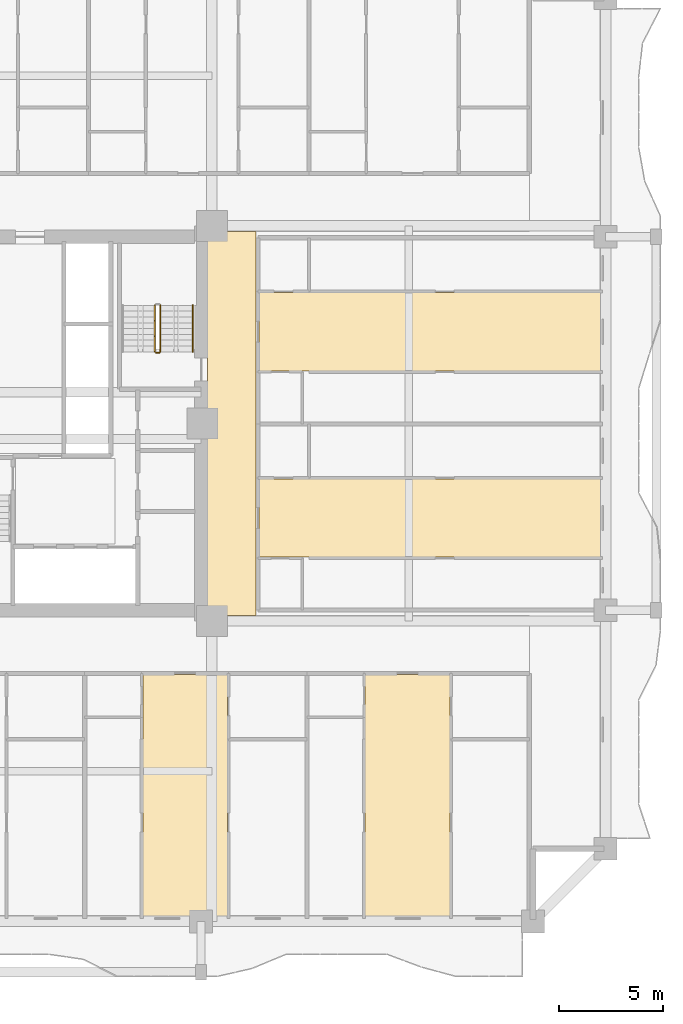
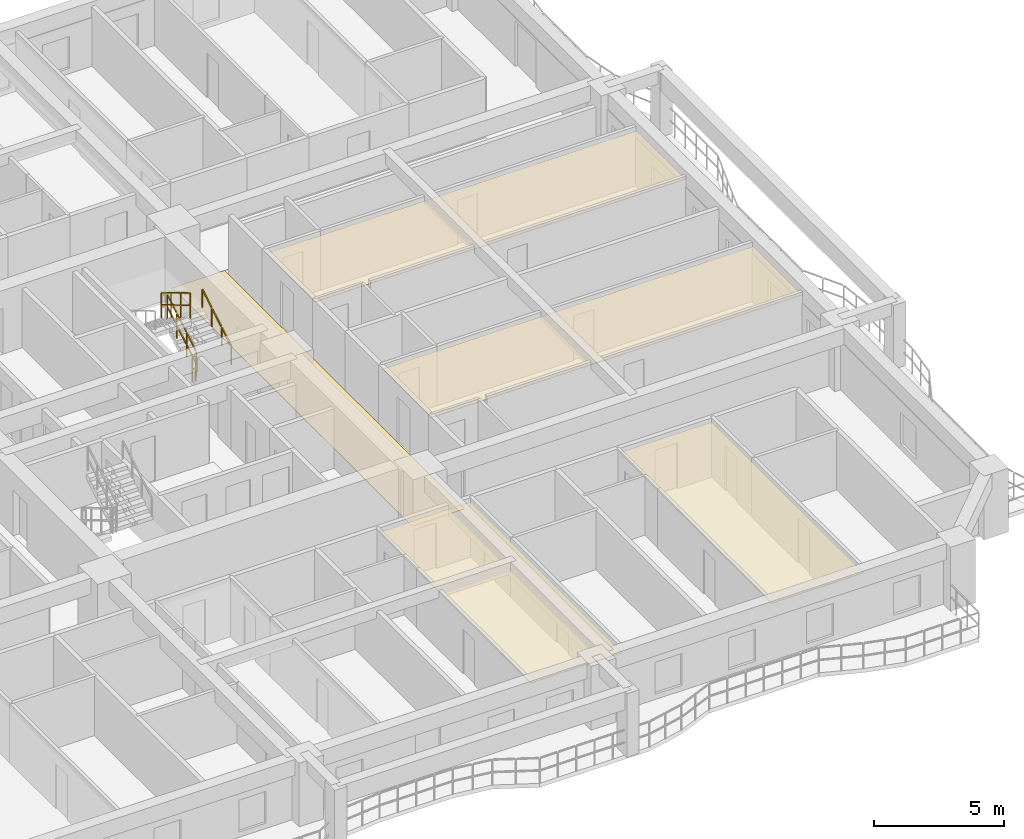
# One storey, part 14 of 16: 5 coverings, 4 railings.
"""IFC4 building model written with IfcOpenShell, lengths in metres."""

from ifc_helpers import new_model, si_unit, direction, frame, origin, origin_2d, place, context, subcontext, project, spatial, polyline, rectangle, outline, extrude, material, layer, layer_set, type_object, element, save


model = new_model("IFC4")

# Units and contexts
model_context = context("Model", 3, precision=1e-05, world=origin(), true_north=direction((0.0, 1.0)))
body_context = subcontext(model_context, "Body", "Model", "MODEL_VIEW")
ifc_project = project(units=[si_unit("LENGTHUNIT", "METRE"), si_unit("AREAUNIT", "SQUARE_METRE"), si_unit("VOLUMEUNIT", "CUBIC_METRE"), si_unit("PLANEANGLEUNIT", "RADIAN"), si_unit("MASSUNIT", "GRAM", prefix="KILO")], contexts=[model_context])

# Site, building, storey
site_placement = place(None, origin())
site = spatial("IfcSite", under=ifc_project, at=site_placement, CompositionType="ELEMENT")
building_placement = place(site_placement, origin())
building = spatial("IfcBuilding", under=site, at=building_placement, Name="Saelheon Loggia Tower", CompositionType="ELEMENT")
storey_placement = place(building_placement, frame((0.0, 0.0, 28.39990234375)))
storey = spatial("IfcBuildingStorey", under=building, at=storey_placement, Name="L08", CompositionType="ELEMENT", Elevation=28.39990234375)

# Coverings
ifc_material_1 = material(Name="Mineral-Fibre Acoustic Ceiling Board", Category="gypsum")
ifc_layer_1 = layer(ifc_material_1, 0.02490234375)
ifc_layer_set_1 = layer_set([ifc_layer_1], Name="Mineral-Fibre Acoustic Ceiling Board")
covering_type_1 = type_object("IfcCoveringType", Name="Cov_Ceiling_Acoustic", PredefinedType="CEILING", material=ifc_layer_set_1)
covering_1_placement = place(storey_placement, frame((0.0, 0.0, 2.53515625)))
element("IfcCovering", 1, at=covering_1_placement, inside=storey, type_object=covering_type_1, Name="L08 Acoustic Suspended Ceiling", PredefinedType="CEILING", context=body_context, shape_type="SweptSolid", body=[
    extrude(outline(polyline([(41.69287109375, 3.199951171875), (45.77001953125, 3.199951171875), (45.77001953125, 14.89990234375), (41.69287109375, 14.89990234375), (41.69287109375, 3.199951171875)])), origin(), (0.0, 0.0, 1.0), 0.02490234375),
])
covering_2_placement = place(storey_placement, frame((0.0, 0.0, 2.53515625)))
element("IfcCovering", 2, at=covering_2_placement, inside=storey, type_object=covering_type_1, Name="L08 Acoustic Suspended Ceiling", PredefinedType="CEILING", context=body_context, shape_type="SweptSolid", body=[
    extrude(outline(polyline([(52.406494140625, 3.199951171875), (56.504150390625, 3.199951171875), (56.504150390625, 14.89990234375), (52.406494140625, 14.89990234375), (52.406494140625, 3.199951171875)])), origin(), (0.0, 0.0, 1.0), 0.02490234375),
])
covering_3_placement = place(storey_placement, frame((0.0, 0.0, 2.53515625)))
element("IfcCovering", 3, at=covering_3_placement, inside=storey, type_object=covering_type_1, Name="L08 Acoustic Suspended Ceiling", PredefinedType="CEILING", context=body_context, shape_type="SweptSolid", body=[
    extrude(outline(polyline([(47.300048828125, 20.56298828125), (63.800048828125, 20.56298828125), (63.800048828125, 24.324951171875), (47.300048828125, 24.324951171875), (47.300048828125, 20.56298828125)])), origin(), (0.0, 0.0, 1.0), 0.02490234375),
])
covering_4_placement = place(storey_placement, frame((0.0, 0.0, 2.53515625)))
element("IfcCovering", 4, at=covering_4_placement, inside=storey, type_object=covering_type_1, Name="L08 Acoustic Suspended Ceiling", PredefinedType="CEILING", context=body_context, shape_type="SweptSolid", body=[
    extrude(outline(polyline([(47.300048828125, 29.5380859375), (63.800048828125, 29.5380859375), (63.800048828125, 33.300048828125), (47.300048828125, 33.300048828125), (47.300048828125, 29.5380859375)])), origin(), (0.0, 0.0, 1.0), 0.02490234375),
])
ifc_material_2 = material(Name="Vitrified Porcelain Floor Tile", Category="ceramic")
ifc_layer_2 = layer(ifc_material_2, 0.02001953125)
ifc_layer_set_2 = layer_set([ifc_layer_2], Name="Vitrified Porcelain Floor Tile")
covering_type_2 = type_object("IfcCoveringType", Name="Cov_Floor_Porcelain", PredefinedType="FLOORING", material=ifc_layer_set_2)
covering_5_placement = place(storey_placement, origin())
element("IfcCovering", 5, at=covering_5_placement, inside=storey, type_object=covering_type_2, Name="L08 Corridor Porcelain Flooring", PredefinedType="FLOORING", context=body_context, shape_type="SweptSolid", body=[
    extrude(outline(polyline([(44.820068359375, 17.75), (47.14990234375, 17.75), (47.14990234375, 36.25), (44.820068359375, 36.25), (44.820068359375, 17.75)])), origin(), (0.0, 0.0, 1.0), 0.02001953125),
])

# Railings
ifc_material_3 = material(Name="Galvanised Steel S275 Stairwell Guardrail", Category="steel")
railing_type_1 = type_object("IfcRailingType", Name="Guard_StairWell_RL_STG", PredefinedType="GUARDRAIL", material=ifc_material_3)
railing_1_placement = place(storey_placement, frame((42.5400390625, 30.449951171875, 0.166748046875)))
element("IfcRailing", 6, at=railing_1_placement, inside=storey, type_object=railing_type_1, Name="L08 ST2 stair guard 1", PredefinedType="GUARDRAIL", context=body_context, shape_type="SweptSolid", body=[
    extrude(rectangle(XDim=0.048095703125, YDim=0.048095703125, at=origin_2d()), frame((0.0, 0.028564453125, 1.19287109375), z_axis=(0.0, 0.859305625298, 0.511462454469), x_axis=(-1.0, 0.0, 0.0)), (0.0, 0.0, 1.0), 0.802490234375),
    extrude(rectangle(XDim=0.048095703125, YDim=0.048095703125, at=origin_2d()), frame((0.0, 0.028564453125, 0.616943359375), z_axis=(0.0, 0.859305625298, 0.511462454469), x_axis=(-1.0, 0.0, 0.0)), (0.0, 0.0, 1.0), 0.802490234375),
    extrude(rectangle(XDim=0.048095703125, YDim=0.048095703125, at=origin_2d()), frame((0.0, 0.775146484375, 1.63720703125), z_axis=(0.0, 0.859305625298, 0.511462454469), x_axis=(-1.0, 0.0, 0.0)), (0.0, 0.0, 1.0), 0.802490234375),
    extrude(rectangle(XDim=0.048095703125, YDim=0.048095703125, at=origin_2d()), frame((0.0, 0.775146484375, 1.061279296875), z_axis=(0.0, 0.859305625298, 0.511462454469), x_axis=(-1.0, 0.0, 0.0)), (0.0, 0.0, 1.0), 0.802490234375),
    extrude(rectangle(XDim=0.048095703125, YDim=0.048095703125, at=origin_2d()), frame((0.0, 1.52197265625, 2.081787109375), z_axis=(0.0, 0.859305625298, 0.511462454469), x_axis=(-1.0, 0.0, 0.0)), (0.0, 0.0, 1.0), 0.802490234375),
    extrude(rectangle(XDim=0.048095703125, YDim=0.048095703125, at=origin_2d()), frame((0.0, 1.52197265625, 1.505859375), z_axis=(0.0, 0.859305625298, 0.511462454469), x_axis=(-1.0, 0.0, 0.0)), (0.0, 0.0, 1.0), 0.802490234375),
    extrude(rectangle(XDim=0.0419921875, YDim=0.0419921875, at=origin_2d()), origin(), (0.0, 0.0, 1.0), 1.14794921875),
    extrude(rectangle(XDim=0.0419921875, YDim=0.0419921875, at=origin_2d()), frame((0.0, 0.74658203125, 0.4443359375)), (0.0, 0.0, 1.0), 1.14794921875),
    extrude(rectangle(XDim=0.0419921875, YDim=0.0419921875, at=origin_2d()), frame((0.0, 1.493408203125, 0.888916015625)), (0.0, 0.0, 1.0), 1.14794921875),
    extrude(rectangle(XDim=0.0419921875, YDim=0.0419921875, at=origin_2d()), frame((0.0, 2.239990234375, 1.333251953125)), (0.0, 0.0, 1.0), 1.14794921875),
])
railing_2_placement = place(storey_placement, frame((42.280029296875, 32.68994140625, 1.666748046875)))
element("IfcRailing", 7, at=railing_2_placement, inside=storey, type_object=railing_type_1, Name="L08 ST2 stair guard 3", PredefinedType="GUARDRAIL", context=body_context, shape_type="SweptSolid", body=[
    extrude(rectangle(XDim=0.048095703125, YDim=0.048095703125, at=origin_2d()), frame((0.0, -0.028564453125, 1.19287109375), z_axis=(0.0, -0.859305625298, 0.511462454469), x_axis=(1.0, 0.0, 0.0)), (0.0, 0.0, 1.0), 0.802490234375),
    extrude(rectangle(XDim=0.048095703125, YDim=0.048095703125, at=origin_2d()), frame((0.0, -0.028564453125, 0.616943359375), z_axis=(0.0, -0.859305625298, 0.511462454469), x_axis=(1.0, 0.0, 0.0)), (0.0, 0.0, 1.0), 0.802490234375),
    extrude(rectangle(XDim=0.048095703125, YDim=0.048095703125, at=origin_2d()), frame((0.0, -0.775146484375, 1.63720703125), z_axis=(0.0, -0.859305625298, 0.511462454469), x_axis=(1.0, 0.0, 0.0)), (0.0, 0.0, 1.0), 0.802490234375),
    extrude(rectangle(XDim=0.048095703125, YDim=0.048095703125, at=origin_2d()), frame((0.0, -0.775146484375, 1.061279296875), z_axis=(0.0, -0.859305625298, 0.511462454469), x_axis=(1.0, 0.0, 0.0)), (0.0, 0.0, 1.0), 0.802490234375),
    extrude(rectangle(XDim=0.048095703125, YDim=0.048095703125, at=origin_2d()), frame((0.0, -1.52197265625, 2.081787109375), z_axis=(0.0, -0.859305625298, 0.511462454469), x_axis=(1.0, 0.0, 0.0)), (0.0, 0.0, 1.0), 0.802490234375),
    extrude(rectangle(XDim=0.048095703125, YDim=0.048095703125, at=origin_2d()), frame((0.0, -1.52197265625, 1.505859375), z_axis=(0.0, -0.859305625298, 0.511462454469), x_axis=(1.0, 0.0, 0.0)), (0.0, 0.0, 1.0), 0.802490234375),
    extrude(rectangle(XDim=0.0419921875, YDim=0.0419921875, at=origin_2d()), origin(), (0.0, 0.0, 1.0), 1.14794921875),
    extrude(rectangle(XDim=0.0419921875, YDim=0.0419921875, at=origin_2d()), frame((0.0, -0.74658203125, 0.4443359375)), (0.0, 0.0, 1.0), 1.14794921875),
    extrude(rectangle(XDim=0.0419921875, YDim=0.0419921875, at=origin_2d()), frame((0.0, -1.493408203125, 0.888916015625)), (0.0, 0.0, 1.0), 1.14794921875),
    extrude(rectangle(XDim=0.0419921875, YDim=0.0419921875, at=origin_2d()), frame((0.0, -2.239990234375, 1.333251953125)), (0.0, 0.0, 1.0), 1.14794921875),
])
railing_3_placement = place(storey_placement, frame((42.489990234375, 30.39990234375, 0.0)))
element("IfcRailing", 8, at=railing_3_placement, inside=storey, type_object=railing_type_1, Name="L08 ST2 stair guard 4", PredefinedType="GUARDRAIL", context=body_context, shape_type="SweptSolid", body=[
    extrude(rectangle(XDim=0.048095703125, YDim=0.048095703125, at=origin_2d()), frame((-0.033203125, 0.0, 1.17578125), z_axis=(-1.0, 0.0, 0.0), x_axis=(0.0, -1.0, 0.0)), (0.0, 0.0, 1.0), 0.093505859375),
    extrude(rectangle(XDim=0.048095703125, YDim=0.048095703125, at=origin_2d()), frame((-0.033203125, 0.0, 0.60009765625), z_axis=(-1.0, 0.0, 0.0), x_axis=(0.0, -1.0, 0.0)), (0.0, 0.0, 1.0), 0.093505859375),
    extrude(rectangle(XDim=0.0419921875, YDim=0.0419921875, at=origin_2d()), origin(), (0.0, 0.0, 1.0), 1.14794921875),
    extrude(rectangle(XDim=0.0419921875, YDim=0.0419921875, at=origin_2d()), frame((-0.159912109375, 0.0, 0.0)), (0.0, 0.0, 1.0), 1.14794921875),
])
ifc_material_4 = material(Name="Stainless Steel 304 Tubular Handrail", Category="steel")
railing_type_2 = type_object("IfcRailingType", Name="Handrail_Stair_RL_HR1", PredefinedType="HANDRAIL", material=ifc_material_4)
railing_4_placement = place(storey_placement, frame((44.10009765625, 30.449951171875, 0.166748046875)))
element("IfcRailing", 9, at=railing_4_placement, inside=storey, type_object=railing_type_2, Name="L08 ST2 stair handrail 1", PredefinedType="HANDRAIL", context=body_context, shape_type="SweptSolid", body=[
    extrude(rectangle(XDim=0.048095703125, YDim=0.048095703125, at=origin_2d()), frame((0.0, 0.028564453125, 0.892822265625), z_axis=(0.0, 0.859305625298, 0.511462454469), x_axis=(-1.0, 0.0, 0.0)), (0.0, 0.0, 1.0), 0.802490234375),
    extrude(rectangle(XDim=0.048095703125, YDim=0.048095703125, at=origin_2d()), frame((0.0, 0.775146484375, 1.337158203125), z_axis=(0.0, 0.859305625298, 0.511462454469), x_axis=(-1.0, 0.0, 0.0)), (0.0, 0.0, 1.0), 0.802490234375),
    extrude(rectangle(XDim=0.048095703125, YDim=0.048095703125, at=origin_2d()), frame((0.0, 1.52197265625, 1.78173828125), z_axis=(0.0, 0.859305625298, 0.511462454469), x_axis=(-1.0, 0.0, 0.0)), (0.0, 0.0, 1.0), 0.802490234375),
    extrude(rectangle(XDim=0.0419921875, YDim=0.0419921875, at=origin_2d()), origin(), (0.0, 0.0, 1.0), 0.847900390625),
    extrude(rectangle(XDim=0.0419921875, YDim=0.0419921875, at=origin_2d()), frame((0.0, 0.74658203125, 0.4443359375)), (0.0, 0.0, 1.0), 0.847900390625),
    extrude(rectangle(XDim=0.0419921875, YDim=0.0419921875, at=origin_2d()), frame((0.0, 1.493408203125, 0.888916015625)), (0.0, 0.0, 1.0), 0.847900390625),
    extrude(rectangle(XDim=0.0419921875, YDim=0.0419921875, at=origin_2d()), frame((0.0, 2.239990234375, 1.333251953125)), (0.0, 0.0, 1.0), 0.847900390625),
])

save(model, "model.ifc")
